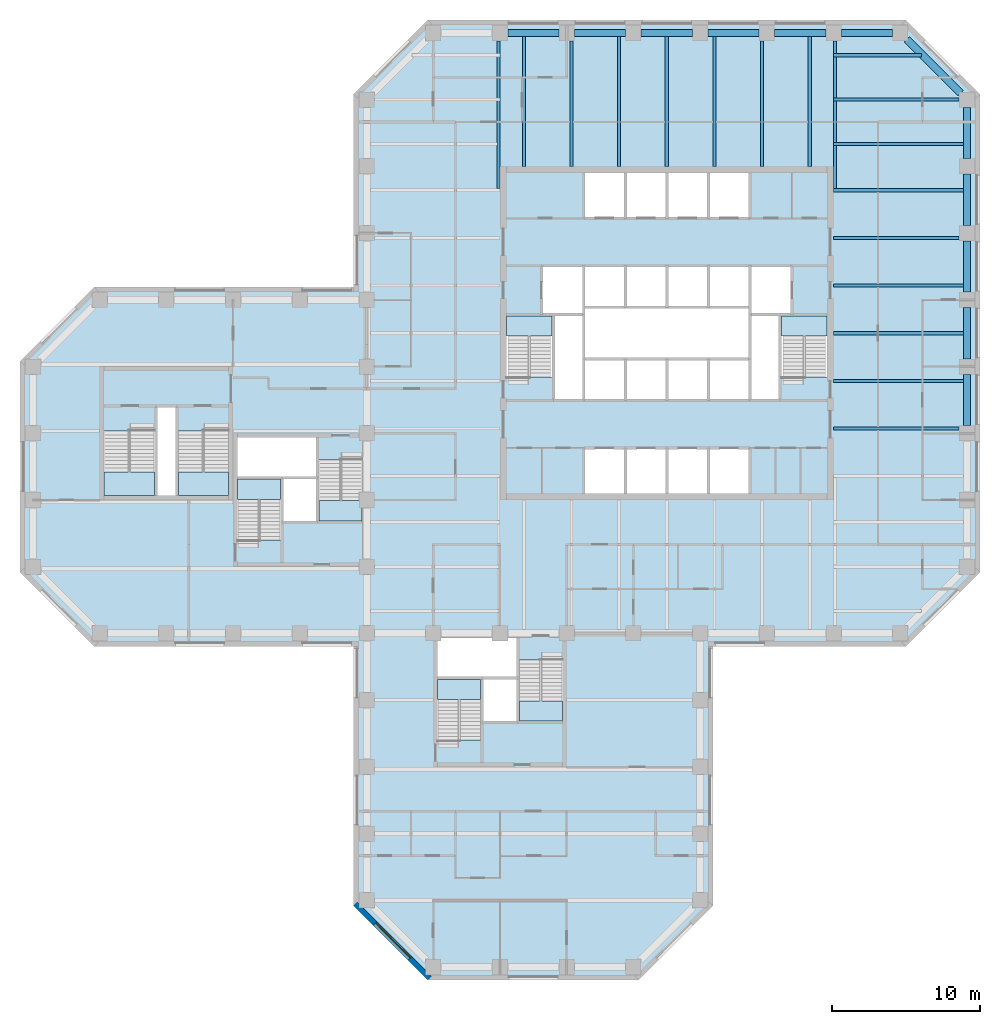
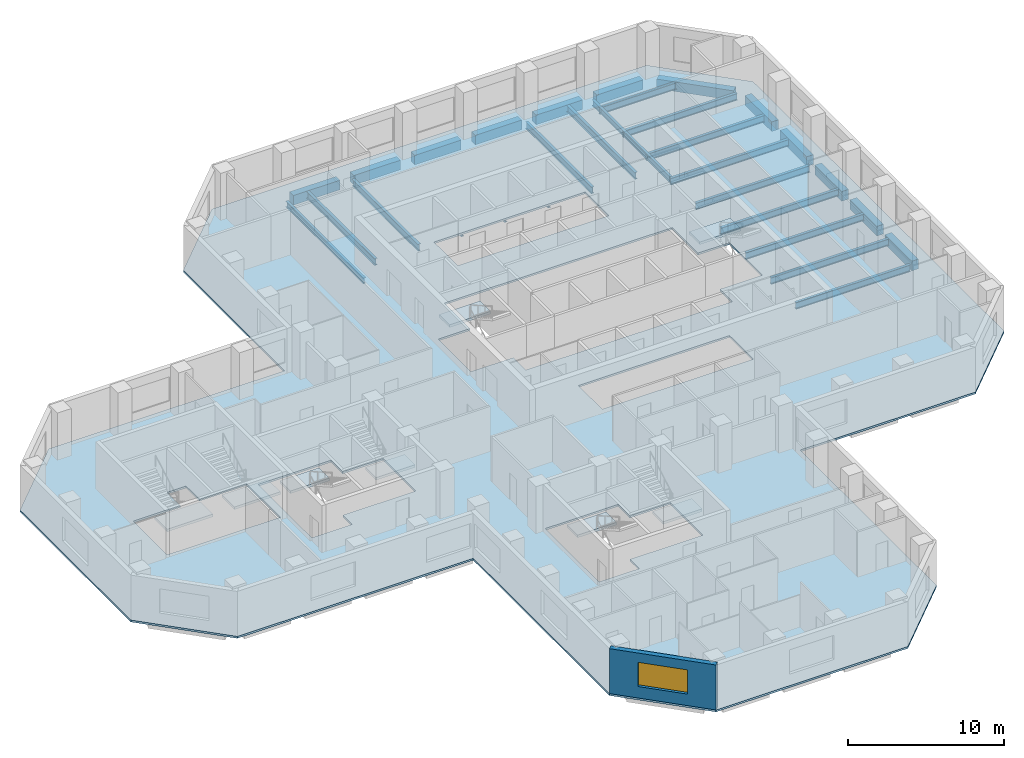
# One storey, part 2 of 10: 30 beams, 9 slabs, 1 wall, 1 window, 1 opening, 8 elements without a shape of their own.
"""IFC4 building model written with IfcOpenShell, lengths in metres."""

from ifc_helpers import new_model, si_unit, direction, frame, frame_2d, origin, origin_2d, place, context, subcontext, project, spatial, polyline, rectangle, i_section, outline, extrude, material, layer, layer_set, constituent, constituent_set, material_profile, profile_set, type_object, element, fill, aggregate, save


model = new_model("IFC4")

# Units and contexts
model_context = context("Model", 3, precision=1e-05, world=origin(), true_north=direction((0.0, 1.0)))
body_context = subcontext(model_context, "Body", "Model", "MODEL_VIEW")
ifc_project = project(units=[si_unit("LENGTHUNIT", "METRE"), si_unit("AREAUNIT", "SQUARE_METRE"), si_unit("VOLUMEUNIT", "CUBIC_METRE"), si_unit("PLANEANGLEUNIT", "RADIAN"), si_unit("MASSUNIT", "GRAM", prefix="KILO")], contexts=[model_context])

# Site, building, storey
site_placement = place(None, origin())
site = spatial("IfcSite", under=ifc_project, at=site_placement, CompositionType="ELEMENT")
building_placement = place(site_placement, origin())
building = spatial("IfcBuilding", under=site, at=building_placement, Name="Quoin Convention Tower", CompositionType="ELEMENT")
storey_placement = place(building_placement, frame((0.0, 0.0, 90.0)))
storey = spatial("IfcBuildingStorey", under=building, at=storey_placement, Name="L23", CompositionType="ELEMENT", Elevation=90.0)

# Beams
ifc_material_1 = material(Name="Steel Grade 300", Category="steel")
ifc_material_profile_1 = material_profile(ifc_material_1, i_section(OverallWidth=0.18994140625, OverallDepth=0.4541015625, WebThickness=0.008544921875, FlangeThickness=0.0126953125, FilletRadius=0.011474609375, at=origin_2d()), Name="460UB67.1")
ifc_profile_set_1 = profile_set([ifc_material_profile_1], Name="Steel Grade 300")
beam_type_1 = type_object("IfcBeamType", Name="460UB67.1", PredefinedType="BEAM", material=ifc_profile_set_1)
for number, where, z_axis, x_axis, name in (
    (1, (44.8955078125, 80.47509765625, -0.376953125), (0.0, -1.0, 0.0), (1.0, 0.0, 0.0), "gir-L23-T1NW"),
    (2, (67.6044921875, 80.47509765625, -0.376953125), (0.0, -1.0, 0.0), (1.0, 0.0, 0.0), "gir-L23-T1NE"),
):
    element("IfcBeam", number, at=place(storey_placement, frame(where, z_axis=z_axis, x_axis=x_axis)), inside=storey, type_object=beam_type_1, Name=name, PredefinedType="BEAM", context=body_context, shape_type="SweptSolid", body=[
        extrude(i_section(OverallWidth=0.18994140625, OverallDepth=0.4541015625, WebThickness=0.008544921875, FlangeThickness=0.0126953125, FilletRadius=0.011474609375, at=origin_2d()), origin(), (0.0, 0.0, 1.0), 9.977783203125),
    ])
ifc_material_profile_2 = material_profile(ifc_material_1, i_section(OverallWidth=0.208984375, OverallDepth=0.528076171875, WebThickness=0.009521484375, FlangeThickness=0.01318359375, FilletRadius=0.013916015625, at=origin_2d()), Name="530UB82.0")
ifc_profile_set_2 = profile_set([ifc_material_profile_2], Name="Steel Grade 300")
beam_type_2 = type_object("IfcBeamType", Name="530UB82.0", PredefinedType="BEAM", material=ifc_profile_set_2)
beam_1_placement = place(storey_placement, frame((67.5, 54.3212890625, -0.4140625), z_axis=(1.0, 0.0, 0.0), x_axis=(0.0, 1.0, 0.0)))
element("IfcBeam", 3, at=beam_1_placement, inside=storey, type_object=beam_type_2, Name="bm-L23-T1E1", PredefinedType="BEAM", context=body_context, shape_type="SweptSolid", body=[
    extrude(i_section(OverallWidth=0.208984375, OverallDepth=0.528076171875, WebThickness=0.009521484375, FlangeThickness=0.01318359375, FilletRadius=0.013916015625, at=origin_2d()), origin(), (0.0, 0.0, 1.0), 8.47509765625),
])
for number, where, z_axis, x_axis, name in (
    (4, (67.5, 57.53564453125, -0.4140625), (1.0, 0.0, 0.0), (0.0, 1.0, 0.0), "bm-L23-T1E2"),
    (5, (67.5, 60.75, -0.4140625), (1.0, 0.0, 0.0), (0.0, 1.0, 0.0), "bm-L23-T1E3"),
    (6, (67.5, 63.96435546875, -0.4140625), (1.0, 0.0, 0.0), (0.0, 1.0, 0.0), "bm-L23-T1E4"),
):
    element("IfcBeam", number, at=place(storey_placement, frame(where, z_axis=z_axis, x_axis=x_axis)), inside=storey, type_object=beam_type_2, Name=name, PredefinedType="BEAM", context=body_context, shape_type="SweptSolid", body=[
        extrude(i_section(OverallWidth=0.208984375, OverallDepth=0.528076171875, WebThickness=0.009521484375, FlangeThickness=0.01318359375, FilletRadius=0.013916015625, at=origin_2d()), origin(), (0.0, 0.0, 1.0), 8.75),
    ])
beam_2_placement = place(storey_placement, frame((67.5, 67.1787109375, -0.4140625), z_axis=(1.0, 0.0, 0.0), x_axis=(0.0, 1.0, 0.0)))
element("IfcBeam", 7, at=beam_2_placement, inside=storey, type_object=beam_type_2, Name="bm-L23-T1E5", PredefinedType="BEAM", context=body_context, shape_type="SweptSolid", body=[
    extrude(i_section(OverallWidth=0.208984375, OverallDepth=0.528076171875, WebThickness=0.009521484375, FlangeThickness=0.01318359375, FilletRadius=0.013916015625, at=origin_2d()), origin(), (0.0, 0.0, 1.0), 8.47509765625),
])
for number, where, z_axis, x_axis, name in (
    (8, (67.5, 70.392822265625, -0.4140625), (1.0, 0.0, 0.0), (0.0, 1.0, 0.0), "bm-L23-T1E6"),
    (9, (46.607177734375, 72.0, -0.4140625), (0.0, 1.0, 0.0), (-1.0, 0.0, 0.0), "bm-L23-T1N0"),
):
    element("IfcBeam", number, at=place(storey_placement, frame(where, z_axis=z_axis, x_axis=x_axis)), inside=storey, type_object=beam_type_2, Name=name, PredefinedType="BEAM", context=body_context, shape_type="SweptSolid", body=[
        extrude(i_section(OverallWidth=0.208984375, OverallDepth=0.528076171875, WebThickness=0.009521484375, FlangeThickness=0.01318359375, FilletRadius=0.013916015625, at=origin_2d()), origin(), (0.0, 0.0, 1.0), 8.75),
    ])
beam_3_placement = place(storey_placement, frame((49.8212890625, 72.0, -0.4140625), z_axis=(0.0, 1.0, 0.0), x_axis=(-1.0, 0.0, 0.0)))
element("IfcBeam", 10, at=beam_3_placement, inside=storey, type_object=beam_type_2, Name="bm-L23-T1N1", PredefinedType="BEAM", context=body_context, shape_type="SweptSolid", body=[
    extrude(i_section(OverallWidth=0.208984375, OverallDepth=0.528076171875, WebThickness=0.009521484375, FlangeThickness=0.01318359375, FilletRadius=0.013916015625, at=origin_2d()), origin(), (0.0, 0.0, 1.0), 8.47509765625),
])
for number, where, z_axis, x_axis, name in (
    (11, (53.03564453125, 72.0, -0.4140625), (0.0, 1.0, 0.0), (-1.0, 0.0, 0.0), "bm-L23-T1N2"),
    (12, (56.25, 72.0, -0.4140625), (0.0, 1.0, 0.0), (-1.0, 0.0, 0.0), "bm-L23-T1N3"),
    (13, (59.46435546875, 72.0, -0.4140625), (0.0, 1.0, 0.0), (-1.0, 0.0, 0.0), "bm-L23-T1N4"),
):
    element("IfcBeam", number, at=place(storey_placement, frame(where, z_axis=z_axis, x_axis=x_axis)), inside=storey, type_object=beam_type_2, Name=name, PredefinedType="BEAM", context=body_context, shape_type="SweptSolid", body=[
        extrude(i_section(OverallWidth=0.208984375, OverallDepth=0.528076171875, WebThickness=0.009521484375, FlangeThickness=0.01318359375, FilletRadius=0.013916015625, at=origin_2d()), origin(), (0.0, 0.0, 1.0), 8.75),
    ])
beam_4_placement = place(storey_placement, frame((62.6787109375, 72.0, -0.4140625), z_axis=(0.0, 1.0, 0.0), x_axis=(-1.0, 0.0, 0.0)))
element("IfcBeam", 14, at=beam_4_placement, inside=storey, type_object=beam_type_2, Name="bm-L23-T1N5", PredefinedType="BEAM", context=body_context, shape_type="SweptSolid", body=[
    extrude(i_section(OverallWidth=0.208984375, OverallDepth=0.528076171875, WebThickness=0.009521484375, FlangeThickness=0.01318359375, FilletRadius=0.013916015625, at=origin_2d()), origin(), (0.0, 0.0, 1.0), 8.47509765625),
])
beam_5_placement = place(storey_placement, frame((65.892822265625, 72.0, -0.4140625), z_axis=(0.0, 1.0, 0.0), x_axis=(-1.0, 0.0, 0.0)))
element("IfcBeam", 15, at=beam_5_placement, inside=storey, type_object=beam_type_2, Name="bm-L23-T1N6", PredefinedType="BEAM", context=body_context, shape_type="SweptSolid", body=[
    extrude(i_section(OverallWidth=0.208984375, OverallDepth=0.528076171875, WebThickness=0.009521484375, FlangeThickness=0.01318359375, FilletRadius=0.013916015625, at=origin_2d()), origin(), (0.0, 0.0, 1.0), 8.75),
])
beam_6_placement = place(storey_placement, frame((67.5, 79.5, -0.4140625), z_axis=(1.0, 0.0, 0.0), x_axis=(0.0, 1.0, 0.0)))
element("IfcBeam", 16, at=beam_6_placement, inside=storey, type_object=beam_type_2, Name="bm-L23-T1NE0", PredefinedType="BEAM", context=body_context, shape_type="SweptSolid", body=[
    extrude(i_section(OverallWidth=0.208984375, OverallDepth=0.528076171875, WebThickness=0.009521484375, FlangeThickness=0.01318359375, FilletRadius=0.013916015625, at=origin_2d()), origin(), (0.0, 0.0, 1.0), 5.927734375),
])
beam_7_placement = place(storey_placement, frame((67.5, 76.5, -0.4140625), z_axis=(1.0, 0.0, 0.0), x_axis=(0.0, 1.0, 0.0)))
element("IfcBeam", 17, at=beam_7_placement, inside=storey, type_object=beam_type_2, Name="bm-L23-T1NE1", PredefinedType="BEAM", context=body_context, shape_type="SweptSolid", body=[
    extrude(i_section(OverallWidth=0.208984375, OverallDepth=0.528076171875, WebThickness=0.009521484375, FlangeThickness=0.01318359375, FilletRadius=0.013916015625, at=origin_2d()), origin(), (0.0, 0.0, 1.0), 8.47509765625),
])
beam_8_placement = place(storey_placement, frame((67.5, 73.5, -0.4140625), z_axis=(1.0, 0.0, 0.0), x_axis=(0.0, 1.0, 0.0)))
element("IfcBeam", 18, at=beam_8_placement, inside=storey, type_object=beam_type_2, Name="bm-L23-T1NE2", PredefinedType="BEAM", context=body_context, shape_type="SweptSolid", body=[
    extrude(i_section(OverallWidth=0.208984375, OverallDepth=0.528076171875, WebThickness=0.009521484375, FlangeThickness=0.01318359375, FilletRadius=0.013916015625, at=origin_2d()), origin(), (0.0, 0.0, 1.0), 8.75),
])
ifc_material_2 = material(Name="Concrete C65", Category="concrete")
ifc_material_profile_3 = material_profile(ifc_material_2, rectangle(XDim=0.5, YDim=0.75, at=origin_2d()), Name="RC 500x750")
ifc_profile_set_3 = profile_set([ifc_material_profile_3], Name="Concrete C65")
beam_type_3 = type_object("IfcBeamType", Name="RC 500x750 C65", PredefinedType="SPANDREL", material=ifc_profile_set_3)
for number, where, z_axis, x_axis, name in (
    (19, (76.5, 54.52490234375, -0.52490234375), (0.0, 1.0, 0.0), (-1.0, 0.0, 0.0), "spd-L23-76500_54000-76500_58500"),
    (20, (76.5, 59.02490234375, -0.52490234375), (0.0, 1.0, 0.0), (-1.0, 0.0, 0.0), "spd-L23-76500_58500-76500_63000"),
    (21, (76.5, 63.52490234375, -0.52490234375), (0.0, 1.0, 0.0), (-1.0, 0.0, 0.0), "spd-L23-76500_63000-76500_67500"),
    (22, (76.5, 68.02490234375, -0.52490234375), (0.0, 1.0, 0.0), (-1.0, 0.0, 0.0), "spd-L23-76500_67500-76500_72000"),
    (23, (76.5, 72.52490234375, -0.52490234375), (0.0, 1.0, 0.0), (-1.0, 0.0, 0.0), "spd-L23-76500_72000-76500_76500"),
):
    element("IfcBeam", number, at=place(storey_placement, frame(where, z_axis=z_axis, x_axis=x_axis)), inside=storey, type_object=beam_type_3, Name=name, PredefinedType="SPANDREL", context=body_context, shape_type="SweptSolid", body=[
        extrude(rectangle(XDim=0.5, YDim=0.75, at=origin_2d()), origin(), (0.0, 0.0, 1.0), 3.4501953125),
    ])
beam_9_placement = place(storey_placement, frame((76.059814453125, 76.940185546875, -0.52490234375), z_axis=(-0.707106781187, 0.707106781187, 0.0), x_axis=(-0.707106781187, -0.707106781187, 0.0)))
element("IfcBeam", 24, at=beam_9_placement, inside=storey, type_object=beam_type_3, Name="spd-L23-76500_76500-72000_81000", PredefinedType="SPANDREL", context=body_context, shape_type="SweptSolid", body=[
    extrude(rectangle(XDim=0.5, YDim=0.75, at=origin_2d()), origin(), (0.0, 0.0, 1.0), 5.118896484375),
])
for number, where, z_axis, x_axis, name in (
    (25, (71.47509765625, 81.0, -0.52490234375), (-1.0, 0.0, 0.0), (0.0, -1.0, 0.0), "spd-L23-72000_81000-67500_81000"),
    (26, (66.97509765625, 81.0, -0.52490234375), (-1.0, 0.0, 0.0), (0.0, -1.0, 0.0), "spd-L23-67500_81000-63000_81000"),
    (27, (62.47509765625, 81.0, -0.52490234375), (-1.0, 0.0, 0.0), (0.0, -1.0, 0.0), "spd-L23-63000_81000-58500_81000"),
    (28, (57.97509765625, 81.0, -0.52490234375), (-1.0, 0.0, 0.0), (0.0, -1.0, 0.0), "spd-L23-58500_81000-54000_81000"),
    (29, (53.47509765625, 81.0, -0.52490234375), (-1.0, 0.0, 0.0), (0.0, -1.0, 0.0), "spd-L23-54000_81000-49500_81000"),
    (30, (48.97509765625, 81.0, -0.52490234375), (-1.0, 0.0, 0.0), (0.0, -1.0, 0.0), "spd-L23-49500_81000-45000_81000"),
):
    element("IfcBeam", number, at=place(storey_placement, frame(where, z_axis=z_axis, x_axis=x_axis)), inside=storey, type_object=beam_type_3, Name=name, PredefinedType="SPANDREL", context=body_context, shape_type="SweptSolid", body=[
        extrude(rectangle(XDim=0.5, YDim=0.75, at=origin_2d()), origin(), (0.0, 0.0, 1.0), 3.4501953125),
    ])

# Slab
ifc_material_3 = material(Name="Concrete C40", Category="concrete")
ifc_layer_1 = layer(ifc_material_3, 0.14990234375)
ifc_layer_set_1 = layer_set([ifc_layer_1], Name="Concrete C40")
slab_type_1 = type_object("IfcSlabType", Name="COMPOSITE SLAB 150 C40", PredefinedType="FLOOR", material=ifc_layer_set_1)
slab_1_placement = place(storey_placement, frame((0.0, 0.0, -0.14990234375)))
element("IfcSlab", 31, at=slab_1_placement, inside=storey, type_object=slab_type_1, Name="slb-L23", PredefinedType="FLOOR", context=body_context, shape_type="SweptSolid", body=[
    extrude(outline(polyline([(59.375, 22.1376953125), (54.3623046875, 17.125), (40.1376953125, 17.125), (35.125, 22.1376953125), (35.125, 39.625), (17.6376953125, 39.625), (12.625, 44.6376953125), (12.625, 58.8623046875), (17.6376953125, 63.875), (35.125, 63.875), (35.125, 76.8623046875), (40.1376953125, 81.875), (72.3623046875, 81.875), (77.375, 76.8623046875), (77.375, 44.6376953125), (72.3623046875, 39.625), (59.375, 39.625), (59.375, 22.1376953125)]), holes=[polyline([(40.800048828125, 40.199951171875), (40.800048828125, 37.5), (40.800048828125, 33.300537109375), (43.800048828125, 33.300537109375), (43.800048828125, 34.5), (46.199951171875, 34.5), (49.199951171875, 34.5), (49.199951171875, 38.699462890625), (46.199951171875, 38.699462890625), (46.199951171875, 40.199951171875), (40.800048828125, 40.199951171875)]), polyline([(35.699951171875, 52.199462890625), (32.699951171875, 52.199462890625), (32.699951171875, 53.699951171875), (27.300048828125, 53.699951171875), (27.300048828125, 51.0), (27.300048828125, 46.800537109375), (30.300048828125, 46.800537109375), (30.300048828125, 48.0), (32.699951171875, 48.0), (35.699951171875, 48.0), (35.699951171875, 52.199462890625)]), polyline([(53.449951171875, 49.949951171875), (56.25, 49.949951171875), (59.050048828125, 49.949951171875), (61.85009765625, 49.949951171875), (61.85009765625, 53.0), (59.050048828125, 53.0), (56.25, 53.0), (53.449951171875, 53.0), (50.64990234375, 53.0), (50.64990234375, 49.949951171875), (53.449951171875, 49.949951171875)]), polyline([(21.800048828125, 55.85009765625), (21.800048828125, 54.1494140625), (18.300048828125, 54.1494140625), (18.300048828125, 49.800048828125), (21.800048828125, 49.800048828125), (23.199951171875, 49.800048828125), (26.699951171875, 49.800048828125), (26.699951171875, 54.1494140625), (23.199951171875, 54.1494140625), (23.199951171875, 55.85009765625), (21.800048828125, 55.85009765625)]), polyline([(48.60009765625, 57.800537109375), (48.60009765625, 56.199951171875), (50.64990234375, 56.199951171875), (53.449951171875, 56.199951171875), (56.25, 56.199951171875), (59.050048828125, 56.199951171875), (61.85009765625, 56.199951171875), (63.89990234375, 56.199951171875), (63.89990234375, 57.800537109375), (67.050048828125, 57.800537109375), (67.050048828125, 62.0), (64.699951171875, 62.0), (64.699951171875, 65.300048828125), (61.85009765625, 65.300048828125), (59.050048828125, 65.300048828125), (56.25, 65.300048828125), (53.449951171875, 65.300048828125), (50.64990234375, 65.300048828125), (47.800048828125, 65.300048828125), (47.800048828125, 62.0), (45.449951171875, 62.0), (45.449951171875, 57.800537109375), (48.60009765625, 57.800537109375)]), polyline([(50.64990234375, 68.5), (53.449951171875, 68.5), (56.25, 68.5), (59.050048828125, 68.5), (61.85009765625, 68.5), (61.85009765625, 71.550048828125), (59.050048828125, 71.550048828125), (56.25, 71.550048828125), (53.449951171875, 71.550048828125), (50.64990234375, 71.550048828125), (50.64990234375, 68.5)])]), origin(), (0.0, 0.0, 1.0), 0.14990234375),
])

# Stair, slab
stair_type_1 = type_object("IfcStairType", Name="Exit stair two-flight 1350", PredefinedType="HALF_TURN_STAIR", material=ifc_material_3)
stair_1_placement = place(storey_placement, origin())
stair_1 = element("IfcStair", 32, at=stair_1_placement, inside=storey, type_object=stair_type_1, Name="SD1 L23", PredefinedType="HALF_TURN_STAIR")
ifc_layer_2 = layer(ifc_material_3, 0.199951171875)
ifc_layer_set_2 = layer_set([ifc_layer_2], Name="Concrete C40")
slab_type_2 = type_object("IfcSlabType", Name="Stair landing 200", PredefinedType="LANDING", material=ifc_layer_set_2)
slab_2_placement = place(storey_placement, frame((0.0, 0.0, 1.792236328125)))
slab_2 = element("IfcSlab", 33, at=slab_2_placement, type_object=slab_type_2, Name="ST1 landing 1", PredefinedType="LANDING", context=body_context, shape_type="SweptSolid", body=[
    extrude(outline(polyline([(45.449951171875, 60.550048828125), (48.5, 60.550048828125), (48.5, 61.89990234375), (45.449951171875, 61.89990234375), (45.449951171875, 60.550048828125)])), origin(), (0.0, 0.0, 1.0), 0.199951171875),
])
aggregate(stair_1, [slab_2])

stair_2_placement = place(storey_placement, origin())
stair_2 = element("IfcStair", 34, at=stair_2_placement, inside=storey, type_object=stair_type_1, Name="SD2 L23", PredefinedType="HALF_TURN_STAIR")
slab_3_placement = place(storey_placement, frame((0.0, 0.0, 1.792236328125)))
slab_3 = element("IfcSlab", 35, at=slab_3_placement, type_object=slab_type_2, Name="ST2 landing 1", PredefinedType="LANDING", context=body_context, shape_type="SweptSolid", body=[
    extrude(outline(polyline([(64.0, 60.550048828125), (67.050048828125, 60.550048828125), (67.050048828125, 61.89990234375), (64.0, 61.89990234375), (64.0, 60.550048828125)])), origin(), (0.0, 0.0, 1.0), 0.199951171875),
])
aggregate(stair_2, [slab_3])

stair_3_placement = place(storey_placement, origin())
stair_3 = element("IfcStair", 36, at=stair_3_placement, inside=storey, type_object=stair_type_1, Name="SD3 L23", PredefinedType="HALF_TURN_STAIR")
slab_4_placement = place(storey_placement, frame((0.0, 0.0, 1.792236328125)))
slab_4 = element("IfcSlab", 37, at=slab_4_placement, type_object=slab_type_2, Name="ST3 landing 1", PredefinedType="LANDING", context=body_context, shape_type="SweptSolid", body=[
    extrude(outline(polyline([(27.300048828125, 49.550048828125), (30.199951171875, 49.550048828125), (30.199951171875, 50.89990234375), (27.300048828125, 50.89990234375), (27.300048828125, 49.550048828125)])), origin(), (0.0, 0.0, 1.0), 0.199951171875),
])
aggregate(stair_3, [slab_4])

stair_4_placement = place(storey_placement, origin())
stair_4 = element("IfcStair", 38, at=stair_4_placement, inside=storey, type_object=stair_type_1, Name="SD4 L23", PredefinedType="HALF_TURN_STAIR")
slab_5_placement = place(storey_placement, frame((0.0, 0.0, 1.792236328125)))
slab_5 = element("IfcSlab", 39, at=slab_5_placement, type_object=slab_type_2, Name="ST4 landing 1", PredefinedType="LANDING", context=body_context, shape_type="SweptSolid", body=[
    extrude(outline(polyline([(35.699951171875, 49.449951171875), (32.800048828125, 49.449951171875), (32.800048828125, 48.10009765625), (35.699951171875, 48.10009765625), (35.699951171875, 49.449951171875)])), origin(), (0.0, 0.0, 1.0), 0.199951171875),
])
aggregate(stair_4, [slab_5])

stair_5_placement = place(storey_placement, origin())
stair_5 = element("IfcStair", 40, at=stair_5_placement, inside=storey, type_object=stair_type_1, Name="SD5 L23", PredefinedType="HALF_TURN_STAIR")
slab_6_placement = place(storey_placement, frame((0.0, 0.0, 1.792236328125)))
slab_6 = element("IfcSlab", 41, at=slab_6_placement, type_object=slab_type_2, Name="ST5 landing 1", PredefinedType="LANDING", context=body_context, shape_type="SweptSolid", body=[
    extrude(outline(polyline([(40.800048828125, 36.050048828125), (43.699951171875, 36.050048828125), (43.699951171875, 37.39990234375), (40.800048828125, 37.39990234375), (40.800048828125, 36.050048828125)])), origin(), (0.0, 0.0, 1.0), 0.199951171875),
])
aggregate(stair_5, [slab_6])

stair_6_placement = place(storey_placement, origin())
stair_6 = element("IfcStair", 42, at=stair_6_placement, inside=storey, type_object=stair_type_1, Name="SD6 L23", PredefinedType="HALF_TURN_STAIR")
slab_7_placement = place(storey_placement, frame((0.0, 0.0, 1.792236328125)))
slab_7 = element("IfcSlab", 43, at=slab_7_placement, type_object=slab_type_2, Name="ST6 landing 1", PredefinedType="LANDING", context=body_context, shape_type="SweptSolid", body=[
    extrude(outline(polyline([(49.199951171875, 35.949951171875), (46.300048828125, 35.949951171875), (46.300048828125, 34.60009765625), (49.199951171875, 34.60009765625), (49.199951171875, 35.949951171875)])), origin(), (0.0, 0.0, 1.0), 0.199951171875),
])
aggregate(stair_6, [slab_7])

stair_type_2 = type_object("IfcStairType", Name="Exit stair two-flight 1600", PredefinedType="HALF_TURN_STAIR", material=ifc_material_3)
stair_7_placement = place(storey_placement, origin())
stair_7 = element("IfcStair", 44, at=stair_7_placement, inside=storey, type_object=stair_type_2, Name="SD11 L23", PredefinedType="HALF_TURN_STAIR")
slab_8_placement = place(storey_placement, frame((0.0, 0.0, 1.792236328125)))
slab_8 = element("IfcSlab", 45, at=slab_8_placement, type_object=slab_type_2, Name="ST11 landing 1", PredefinedType="LANDING", context=body_context, shape_type="SweptSolid", body=[
    extrude(outline(polyline([(21.699951171875, 51.39990234375), (18.300048828125, 51.39990234375), (18.300048828125, 49.800048828125), (21.699951171875, 49.800048828125), (21.699951171875, 51.39990234375)])), origin(), (0.0, 0.0, 1.0), 0.199951171875),
])
aggregate(stair_7, [slab_8])

stair_8_placement = place(storey_placement, origin())
stair_8 = element("IfcStair", 46, at=stair_8_placement, inside=storey, type_object=stair_type_2, Name="SD12 L23", PredefinedType="HALF_TURN_STAIR")
slab_9_placement = place(storey_placement, frame((0.0, 0.0, 1.792236328125)))
slab_9 = element("IfcSlab", 47, at=slab_9_placement, type_object=slab_type_2, Name="ST12 landing 1", PredefinedType="LANDING", context=body_context, shape_type="SweptSolid", body=[
    extrude(outline(polyline([(26.699951171875, 51.39990234375), (23.300048828125, 51.39990234375), (23.300048828125, 49.800048828125), (26.699951171875, 49.800048828125), (26.699951171875, 51.39990234375)])), origin(), (0.0, 0.0, 1.0), 0.199951171875),
])
aggregate(stair_8, [slab_9])

# Wall, opening, window
ifc_material_4 = material(Name="Brick masonry", Category="masonry")
ifc_layer_3 = layer(ifc_material_4, 0.35009765625)
ifc_layer_set_3 = layer_set([ifc_layer_3], Name="Brick masonry")
wall_type = type_object("IfcWallType", Name="Brick facade wall", PredefinedType="STANDARD", material=ifc_layer_set_3)
wall_placement = place(storey_placement, frame((35.248779296875, 22.26123046875, 0.0), z_axis=(0.0, 0.0, 1.0), x_axis=(0.707106781187, -0.707106781187, 0.0)))
wall = element("IfcWall", 48, at=wall_placement, inside=storey, type_object=wall_type, Name="fw-L23-36000_22500", PredefinedType="STANDARD", context=body_context, shape_type="SweptSolid", body=[
    extrude(rectangle(XDim=7.088623046875, YDim=0.35009765625, at=frame_2d((3.54443359375, 0.0))), origin(), (0.0, 0.0, 1.0), 3.52490234375),
])
opening_placement = place(wall_placement, frame((1.894287109375, 0.0, 0.89990234375)))
opening = element("IfcOpeningElement", 49, at=opening_placement, cuts=wall, Name="Opening W-02", PredefinedType="OPENING", context=body_context, shape_type="SweptSolid", body=[
    extrude(rectangle(XDim=3.300048828125, YDim=1.89990234375, at=frame_2d((1.64990234375, 0.949951171875))), frame((0.0, 0.18505859375, 0.0), z_axis=(0.0, -1.0, 0.0), x_axis=(1.0, 0.0, 0.0)), (0.0, 0.0, 1.0), 0.3701171875),
])
ifc_material_5 = material(Name="Aluminium", Category="aluminium")
ifc_constituent_1 = constituent(ifc_material_5, Name="Frame")
ifc_material_6 = material(Name="Insulated glass", Category="glass")
ifc_constituent_2 = constituent(ifc_material_6, Name="Glazing")
ifc_constituent_set = constituent_set(constituents=[ifc_constituent_1, ifc_constituent_2], Name="Aluminium")
window_type = type_object("IfcWindowType", Name="Office window", PartitioningType="DOUBLE_PANEL_VERTICAL", PredefinedType="WINDOW", material=ifc_constituent_set)
window_placement = place(opening_placement, origin())
window = element("IfcWindow", 50, at=window_placement, inside=storey, type_object=window_type, Name="win-L23-37755_19755", OverallHeight=1.89990234375, OverallWidth=3.300048828125, PartitioningType="SINGLE_PANEL", PredefinedType="WINDOW", context=body_context, shape_type="SweptSolid", body=[
    extrude(rectangle(XDim=3.300048828125, YDim=1.89990234375, at=frame_2d((1.64990234375, 0.949951171875))), frame((0.0, 0.0849609375, 0.0), z_axis=(0.0, -1.0, 0.0), x_axis=(1.0, 0.0, 0.0)), (0.0, 0.0, 1.0), 0.06005859375),
])
fill(opening, window)

save(model, "model.ifc")
